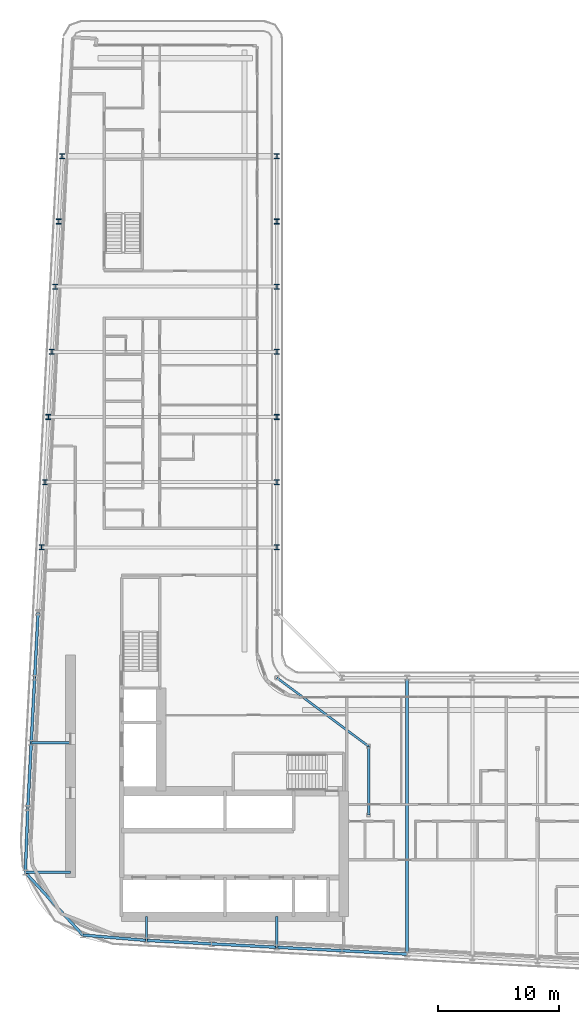
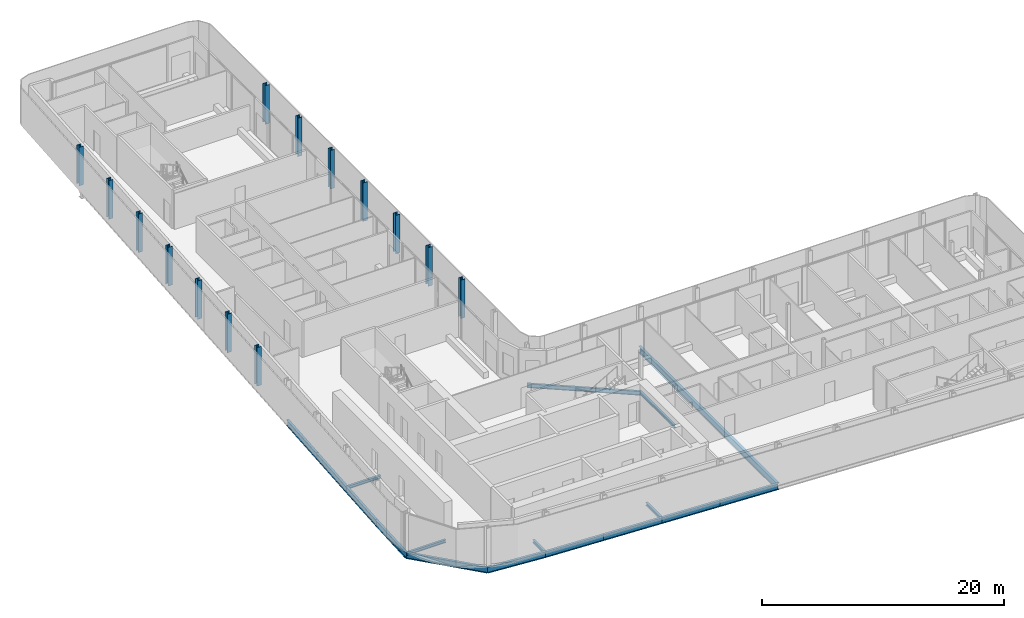
# One storey, part 3 of 24: 17 beams, 14 columns.
"""IFC4 building model written with IfcOpenShell, lengths in metres."""

from ifc_helpers import new_model, si_unit, direction, frame, origin, origin_2d, place, context, subcontext, project, spatial, i_section, extrude, material, material_profile, profile_set, type_object, element, save


model = new_model("IFC4")

# Units and contexts
model_context = context("Model", 3, precision=1e-05, world=origin(), true_north=direction((0.0, 1.0)))
body_context = subcontext(model_context, "Body", "Model", "MODEL_VIEW")
ifc_project = project(units=[si_unit("LENGTHUNIT", "METRE"), si_unit("AREAUNIT", "SQUARE_METRE"), si_unit("VOLUMEUNIT", "CUBIC_METRE"), si_unit("PLANEANGLEUNIT", "RADIAN"), si_unit("MASSUNIT", "GRAM", prefix="KILO")], contexts=[model_context])

# Site, building, storey
site_placement = place(None, origin())
site = spatial("IfcSite", under=ifc_project, at=site_placement, CompositionType="ELEMENT")
building_placement = place(site_placement, origin())
building = spatial("IfcBuilding", under=site, at=building_placement, Name="Kheshtan School and Residences Tower", CompositionType="ELEMENT")
storey_placement = place(building_placement, frame((0.0, 0.0, 160.39990234375)))
storey = spatial("IfcBuildingStorey", under=building, at=storey_placement, Name="L37", CompositionType="ELEMENT", Elevation=160.39990234375)

# Columns
ifc_material = material(Name="Steel ASTM A992 Grade 50", Category="steel")
ifc_material_profile_1 = material_profile(ifc_material, i_section(OverallWidth=0.408935546875, OverallDepth=0.425048828125, WebThickness=0.03271484375, FlangeThickness=0.052490234375, FilletRadius=0.0126953125, at=origin_2d()), Name="W360x421")
ifc_profile_set_1 = profile_set([ifc_material_profile_1], Name="Steel ASTM A992 Grade 50")
column_type = type_object("IfcColumnType", Name="Column C3 W360x421 ASTM A992 Grade 50", PredefinedType="COLUMN", material=ifc_profile_set_1)
for number, where, z_axis, x_axis, name in (
    (1, (28.10595703125, 56.39990234375, 0.0), (0.0, 0.0, 1.0), (1.0, 0.0, 0.0), "Column C080"),
    (2, (47.60009765625, 56.39990234375, 0.0), (0.0, 0.0, 1.0), (1.0, 0.0, 0.0), "Column C081"),
    (3, (28.389892578125, 61.800048828125, 0.0), (0.0, 0.0, 1.0), (1.0, 0.0, 0.0), "Column C082"),
    (4, (47.60009765625, 61.800048828125, 0.0), (0.0, 0.0, 1.0), (1.0, 0.0, 0.0), "Column C083"),
    (5, (28.674072265625, 67.199951171875, 0.0), (0.0, 0.0, 1.0), (1.0, 0.0, 0.0), "Column C084"),
    (6, (47.60009765625, 67.199951171875, 0.0), (0.0, 0.0, 1.0), (1.0, 0.0, 0.0), "Column C085"),
    (7, (28.9580078125, 72.60009765625, 0.0), (0.0, 0.0, 1.0), (1.0, 0.0, 0.0), "Column C086"),
    (8, (47.60009765625, 72.60009765625, 0.0), (0.0, 0.0, 1.0), (1.0, 0.0, 0.0), "Column C087"),
    (9, (29.242919921875, 78.0, 0.0), (0.0, 0.0, 1.0), (1.0, 0.0, 0.0), "Column C088"),
    (10, (47.60009765625, 78.0, 0.0), (0.0, 0.0, 1.0), (1.0, 0.0, 0.0), "Column C089"),
    (11, (29.527099609375, 83.39990234375, 0.0), (0.0, 0.0, 1.0), (1.0, 0.0, 0.0), "Column C090"),
    (12, (47.60009765625, 83.39990234375, 0.0), (0.0, 0.0, 1.0), (1.0, 0.0, 0.0), "Column C091"),
    (13, (29.81103515625, 88.800048828125, 0.0), (0.0, 0.0, 1.0), (1.0, 0.0, 0.0), "Column C098"),
    (14, (47.60009765625, 88.800048828125, 0.0), (0.0, 0.0, 1.0), (1.0, 0.0, 0.0), "Column C099"),
):
    element("IfcColumn", number, at=place(storey_placement, frame(where, z_axis=z_axis, x_axis=x_axis)), inside=storey, type_object=column_type, Name=name, PredefinedType="COLUMN", context=body_context, shape_type="SweptSolid", body=[
        extrude(i_section(OverallWidth=0.408935546875, OverallDepth=0.425048828125, WebThickness=0.03271484375, FlangeThickness=0.052490234375, FilletRadius=0.0126953125, at=origin_2d()), origin(), (0.0, 0.0, 1.0), 3.900146484375),
    ])

# Beams
ifc_material_profile_2 = material_profile(ifc_material, i_section(OverallWidth=0.202880859375, OverallDepth=0.302978515625, WebThickness=0.007568359375, FlangeThickness=0.01318359375, FilletRadius=0.009033203125, at=origin_2d()), Name="W310x60")
ifc_profile_set_2 = profile_set([ifc_material_profile_2], Name="Steel ASTM A992 Grade 50")
beam_type_1 = type_object("IfcBeamType", Name="Beam FB1 W310x60 ASTM A992 Grade 50", PredefinedType="BEAM", material=ifc_profile_set_2)
beam_1_placement = place(storey_placement, frame((47.60009765625, 23.263916015625, -0.301513671875), z_axis=(0.0, 1.0, 0.0), x_axis=(-1.0, 0.0, 0.0)))
element("IfcBeam", 15, at=beam_1_placement, inside=storey, type_object=beam_type_1, Name="Floor beam C020", PredefinedType="BEAM", context=body_context, shape_type="SweptSolid", body=[
    extrude(i_section(OverallWidth=0.202880859375, OverallDepth=0.302978515625, WebThickness=0.007568359375, FlangeThickness=0.01318359375, FilletRadius=0.009033203125, at=origin_2d()), origin(), (0.0, 0.0, 1.0), 2.5361328125),
])
beam_2_placement = place(storey_placement, frame((36.800048828125, 23.83203125, -0.301513671875), z_axis=(0.0, 1.0, 0.0), x_axis=(-1.0, 0.0, 0.0)))
element("IfcBeam", 16, at=beam_2_placement, inside=storey, type_object=beam_type_1, Name="Floor beam C022", PredefinedType="BEAM", context=body_context, shape_type="SweptSolid", body=[
    extrude(i_section(OverallWidth=0.202880859375, OverallDepth=0.302978515625, WebThickness=0.007568359375, FlangeThickness=0.01318359375, FilletRadius=0.009033203125, at=origin_2d()), origin(), (0.0, 0.0, 1.0), 1.968017578125),
])
beam_3_placement = place(storey_placement, frame((26.761962890625, 29.464111328125, -0.301513671875), z_axis=(1.0, 0.0, 0.0), x_axis=(0.0, 1.0, 0.0)))
element("IfcBeam", 17, at=beam_3_placement, inside=storey, type_object=beam_type_1, Name="Floor beam C041", PredefinedType="BEAM", context=body_context, shape_type="SweptSolid", body=[
    extrude(i_section(OverallWidth=0.202880859375, OverallDepth=0.302978515625, WebThickness=0.007568359375, FlangeThickness=0.01318359375, FilletRadius=0.009033203125, at=origin_2d()), origin(), (0.0, 0.0, 1.0), 3.738037109375),
])
beam_4_placement = place(storey_placement, frame((27.2529296875, 40.199951171875, -0.301513671875), z_axis=(1.0, 0.0, 0.0), x_axis=(0.0, 1.0, 0.0)))
element("IfcBeam", 18, at=beam_4_placement, inside=storey, type_object=beam_type_1, Name="Floor beam C056", PredefinedType="BEAM", context=body_context, shape_type="SweptSolid", body=[
    extrude(i_section(OverallWidth=0.202880859375, OverallDepth=0.302978515625, WebThickness=0.007568359375, FlangeThickness=0.01318359375, FilletRadius=0.009033203125, at=origin_2d()), origin(), (0.0, 0.0, 1.0), 3.2470703125),
])
beam_5_placement = place(storey_placement, frame((55.199951171875, 34.23193359375, -0.301513671875), z_axis=(0.0, 1.0, 0.0), x_axis=(-1.0, 0.0, 0.0)))
element("IfcBeam", 19, at=beam_5_placement, inside=storey, type_object=beam_type_1, Name="Floor beam IC", PredefinedType="BEAM", context=body_context, shape_type="SweptSolid", body=[
    extrude(i_section(OverallWidth=0.202880859375, OverallDepth=0.302978515625, WebThickness=0.007568359375, FlangeThickness=0.01318359375, FilletRadius=0.009033203125, at=origin_2d()), origin(), (0.0, 0.0, 1.0), 5.68408203125),
])
ifc_material_profile_3 = material_profile(ifc_material, i_section(OverallWidth=0.180908203125, OverallDepth=0.4169921875, WebThickness=0.010986328125, FlangeThickness=0.018310546875, FilletRadius=0.012451171875, at=origin_2d()), Name="W410x85")
ifc_profile_set_3 = profile_set([ifc_material_profile_3], Name="Steel ASTM A992 Grade 50")
beam_type_2 = type_object("IfcBeamType", Name="Beam FB3 W410x85 ASTM A992 Grade 50", PredefinedType="BEAM", material=ifc_profile_set_3)
beam_6_placement = place(storey_placement, frame((47.60009765625, 45.60009765625, -0.3583984375), z_axis=(0.800798828004, -0.598933416222, 0.0), x_axis=(0.598933416222, 0.800798828004, 0.0)))
element("IfcBeam", 20, at=beam_6_placement, inside=storey, type_object=beam_type_2, Name="Floor beam IC", PredefinedType="BEAM", context=body_context, shape_type="SweptSolid", body=[
    extrude(i_section(OverallWidth=0.180908203125, OverallDepth=0.4169921875, WebThickness=0.010986328125, FlangeThickness=0.018310546875, FilletRadius=0.012451171875, at=origin_2d()), origin(), (0.0, 0.0, 1.0), 9.490234375),
])
ifc_material_profile_4 = material_profile(ifc_material, i_section(OverallWidth=0.2529296875, OverallDepth=0.677978515625, WebThickness=0.01171875, FlangeThickness=0.016357421875, FilletRadius=0.0146484375, at=origin_2d()), Name="W690x125")
ifc_profile_set_4 = profile_set([ifc_material_profile_4], Name="Steel ASTM A992 Grade 50")
beam_type_3 = type_object("IfcBeamType", Name="Beam FB6 W690x125 ASTM A992 Grade 50", PredefinedType="BEAM", material=ifc_profile_set_4)
beam_7_placement = place(storey_placement, frame((58.39990234375, 22.695068359375, -0.489013671875), z_axis=(0.0, 1.0, 0.0), x_axis=(-1.0, 0.0, 0.0)))
element("IfcBeam", 21, at=beam_7_placement, inside=storey, type_object=beam_type_3, Name="Floor beam C018", PredefinedType="BEAM", context=body_context, shape_type="SweptSolid", body=[
    extrude(i_section(OverallWidth=0.2529296875, OverallDepth=0.677978515625, WebThickness=0.01171875, FlangeThickness=0.016357421875, FilletRadius=0.0146484375, at=origin_2d()), origin(), (0.0, 0.0, 1.0), 22.905029296875),
])
ifc_material_profile_5 = material_profile(ifc_material, i_section(OverallWidth=0.22802734375, OverallDepth=0.60302734375, WebThickness=0.010498046875, FlangeThickness=0.014892578125, FilletRadius=0.013427734375, at=origin_2d()), Name="W610x101")
ifc_profile_set_5 = profile_set([ifc_material_profile_5], Name="Steel ASTM A992 Grade 50")
beam_type_4 = type_object("IfcBeamType", Name="Beam SP2 W610x101 ASTM A992 Grade 50", PredefinedType="BEAM", material=ifc_profile_set_5)
for number, where, z_axis, x_axis, name in (
    (22, (58.39990234375, 22.695068359375, -0.451416015625), (-0.998610961136, 0.052689166816, 0.0), (-0.052689166816, -0.998610961136, 0.0), "Spandrel beam C018-C019"),
    (23, (53.0, 22.97998046875, -0.451416015625), (-0.998620447272, 0.05250906864, 0.0), (-0.05250906864, -0.998620447272, 0.0), "Spandrel beam C019-C020"),
):
    element("IfcBeam", number, at=place(storey_placement, frame(where, z_axis=z_axis, x_axis=x_axis)), inside=storey, type_object=beam_type_4, Name=name, PredefinedType="BEAM", context=body_context, shape_type="SweptSolid", body=[
        extrude(i_section(OverallWidth=0.22802734375, OverallDepth=0.60302734375, WebThickness=0.010498046875, FlangeThickness=0.014892578125, FilletRadius=0.013427734375, at=origin_2d()), origin(), (0.0, 0.0, 1.0), 5.407470703125),
    ])
beam_8_placement = place(storey_placement, frame((47.60009765625, 23.263916015625, -0.451416015625), z_axis=(-0.998618203458, 0.052551724256, 0.0), x_axis=(-0.052551724256, -0.998618203458, 0.0)))
element("IfcBeam", 24, at=beam_8_placement, inside=storey, type_object=beam_type_4, Name="Spandrel beam C020-C021", PredefinedType="BEAM", context=body_context, shape_type="SweptSolid", body=[
    extrude(i_section(OverallWidth=0.22802734375, OverallDepth=0.60302734375, WebThickness=0.010498046875, FlangeThickness=0.014892578125, FilletRadius=0.013427734375, at=origin_2d()), origin(), (0.0, 0.0, 1.0), 5.40771484375),
])
beam_9_placement = place(storey_placement, frame((42.199951171875, 23.548095703125, -0.451416015625), z_axis=(-0.998620447272, 0.05250906864, 0.0), x_axis=(-0.05250906864, -0.998620447272, 0.0)))
element("IfcBeam", 25, at=beam_9_placement, inside=storey, type_object=beam_type_4, Name="Spandrel beam C021-C022", PredefinedType="BEAM", context=body_context, shape_type="SweptSolid", body=[
    extrude(i_section(OverallWidth=0.22802734375, OverallDepth=0.60302734375, WebThickness=0.010498046875, FlangeThickness=0.014892578125, FilletRadius=0.013427734375, at=origin_2d()), origin(), (0.0, 0.0, 1.0), 5.407470703125),
])
beam_10_placement = place(storey_placement, frame((36.800048828125, 23.83203125, -0.451416015625), z_axis=(-0.996498230975, 0.083613848512, 0.0), x_axis=(-0.083613848512, -0.996498230975, 0.0)))
element("IfcBeam", 26, at=beam_10_placement, inside=storey, type_object=beam_type_4, Name="Spandrel beam C022-C028", PredefinedType="BEAM", context=body_context, shape_type="SweptSolid", body=[
    extrude(i_section(OverallWidth=0.22802734375, OverallDepth=0.60302734375, WebThickness=0.010498046875, FlangeThickness=0.014892578125, FilletRadius=0.013427734375, at=origin_2d()), origin(), (0.0, 0.0, 1.0), 5.296630859375),
])
beam_11_placement = place(storey_placement, frame((31.52197265625, 24.27490234375, -0.451416015625), z_axis=(-0.675974218658, 0.736925271456, 0.0), x_axis=(-0.736925271456, -0.675974218658, 0.0)))
element("IfcBeam", 27, at=beam_11_placement, inside=storey, type_object=beam_type_4, Name="Spandrel beam C028-C041", PredefinedType="BEAM", context=body_context, shape_type="SweptSolid", body=[
    extrude(i_section(OverallWidth=0.22802734375, OverallDepth=0.60302734375, WebThickness=0.010498046875, FlangeThickness=0.014892578125, FilletRadius=0.013427734375, at=origin_2d()), origin(), (0.0, 0.0, 1.0), 7.041748046875),
])
beam_12_placement = place(storey_placement, frame((26.761962890625, 29.464111328125, -0.451416015625), z_axis=(0.038770243067, 0.999248151488, 0.0), x_axis=(-0.999248151488, 0.038770243067, 0.0)))
element("IfcBeam", 28, at=beam_12_placement, inside=storey, type_object=beam_type_4, Name="Spandrel beam C041-C052", PredefinedType="BEAM", context=body_context, shape_type="SweptSolid", body=[
    extrude(i_section(OverallWidth=0.22802734375, OverallDepth=0.60302734375, WebThickness=0.010498046875, FlangeThickness=0.014892578125, FilletRadius=0.013427734375, at=origin_2d()), origin(), (0.0, 0.0, 1.0), 5.33984375),
])
beam_13_placement = place(storey_placement, frame((26.968994140625, 34.800048828125, -0.451416015625), z_axis=(0.05250906864, 0.998620447272, 0.0), x_axis=(-0.998620447272, 0.05250906864, 0.0)))
element("IfcBeam", 29, at=beam_13_placement, inside=storey, type_object=beam_type_4, Name="Spandrel beam C052-C056", PredefinedType="BEAM", context=body_context, shape_type="SweptSolid", body=[
    extrude(i_section(OverallWidth=0.22802734375, OverallDepth=0.60302734375, WebThickness=0.010498046875, FlangeThickness=0.014892578125, FilletRadius=0.013427734375, at=origin_2d()), origin(), (0.0, 0.0, 1.0), 5.407470703125),
])
beam_14_placement = place(storey_placement, frame((27.2529296875, 40.199951171875, -0.451416015625), z_axis=(0.052551724256, 0.998618203458, 0.0), x_axis=(-0.998618203458, 0.052551724256, 0.0)))
element("IfcBeam", 30, at=beam_14_placement, inside=storey, type_object=beam_type_4, Name="Spandrel beam C056-C059", PredefinedType="BEAM", context=body_context, shape_type="SweptSolid", body=[
    extrude(i_section(OverallWidth=0.22802734375, OverallDepth=0.60302734375, WebThickness=0.010498046875, FlangeThickness=0.014892578125, FilletRadius=0.013427734375, at=origin_2d()), origin(), (0.0, 0.0, 1.0), 5.40771484375),
])
beam_15_placement = place(storey_placement, frame((27.537109375, 45.60009765625, -0.451416015625), z_axis=(0.052689166816, 0.998610961136, 0.0), x_axis=(-0.998610961136, 0.052689166816, 0.0)))
element("IfcBeam", 31, at=beam_15_placement, inside=storey, type_object=beam_type_4, Name="Spandrel beam C059-C078", PredefinedType="BEAM", context=body_context, shape_type="SweptSolid", body=[
    extrude(i_section(OverallWidth=0.22802734375, OverallDepth=0.60302734375, WebThickness=0.010498046875, FlangeThickness=0.014892578125, FilletRadius=0.013427734375, at=origin_2d()), origin(), (0.0, 0.0, 1.0), 5.407470703125),
])

save(model, "model.ifc")
